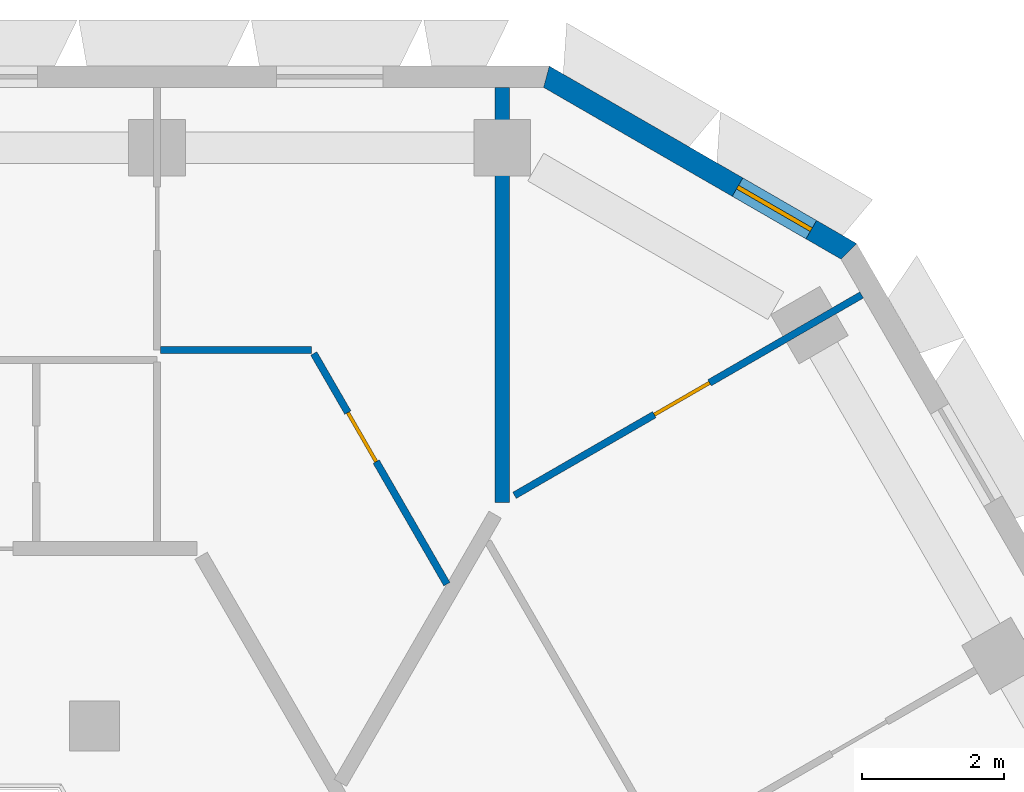
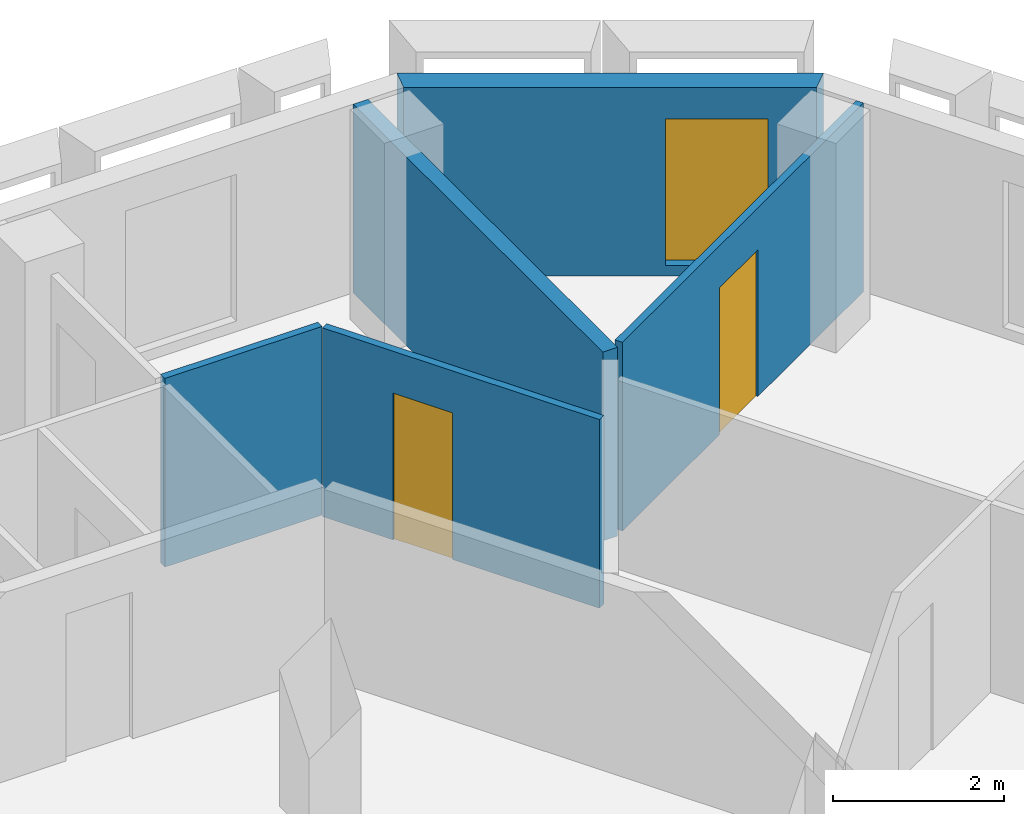
# One storey, part 8 of 15: 5 walls, 2 doors, 1 window, 3 openings.
"""IFC4 building model written with IfcOpenShell, lengths in metres."""

from ifc_helpers import new_model, si_unit, direction, frame, frame_2d, origin, place, context, subcontext, project, spatial, polyline, rectangle, outline, extrude, material, layer, layer_set, type_object, element, fill, save


model = new_model("IFC4")

# Units and contexts
model_context = context("Model", 3, precision=1e-05, world=origin(), true_north=direction((0.0, 1.0)))
body_context = subcontext(model_context, "Body", "Model", "MODEL_VIEW")
ifc_project = project(units=[si_unit("LENGTHUNIT", "METRE"), si_unit("AREAUNIT", "SQUARE_METRE"), si_unit("VOLUMEUNIT", "CUBIC_METRE"), si_unit("PLANEANGLEUNIT", "RADIAN"), si_unit("MASSUNIT", "GRAM", prefix="KILO")], contexts=[model_context])

# Site, building, storey
site_placement = place(None, origin())
site = spatial("IfcSite", under=ifc_project, at=site_placement, CompositionType="ELEMENT")
building_placement = place(site_placement, origin())
building = spatial("IfcBuilding", under=site, at=building_placement, Name="Beryl Residences", CompositionType="ELEMENT")
storey_placement = place(building_placement, frame((0.0, 0.0, 193.199951171875)))
storey = spatial("IfcBuildingStorey", under=building, at=storey_placement, Name="L59", CompositionType="ELEMENT", Elevation=193.199951171875)

# Wall, opening, window
ifc_material_1 = material(Name="Composite metal panel with mineral wool insulation")
ifc_layer_1 = layer(ifc_material_1, 0.300048828125)
ifc_layer_set_1 = layer_set([ifc_layer_1], Name="ES1 pale metal composite panel wall 300 mm")
wall_type_1 = type_object("IfcWallType", Name="ES1 pale metal composite panel wall 300 mm", PredefinedType="SOLIDWALL", material=ifc_layer_set_1)
wall_1_placement = place(storey_placement, frame((14.64697265625, 21.570068359375, 0.0), z_axis=(0.0, 0.0, 1.0), x_axis=(-0.866022959057, 0.500004234368, 0.0)))
wall_1 = element("IfcWall", 1, at=wall_1_placement, inside=storey, type_object=wall_type_1, Name="ES1 external wall L59 NE-N", PredefinedType="SOLIDWALL", context=body_context, shape_type="SweptSolid", body=[
    extrude(outline(polyline([(0.0, -0.14990234375), (5.0, -0.14990234375), (4.919677734375, 0.14990234375), (0.080322265625, 0.14990234375), (0.0, -0.14990234375)])), origin(), (0.0, 0.0, 1.0), 2.699951171875),
])
opening_1_placement = place(wall_1_placement, frame((0.64990234375, 0.0, 0.14990234375)))
opening_1 = element("IfcOpeningElement", 2, at=opening_1_placement, cuts=wall_1, Name="Opening W2", PredefinedType="OPENING", context=body_context, shape_type="SweptSolid", body=[
    extrude(rectangle(XDim=1.199951171875, YDim=2.10009765625, at=frame_2d((0.60009765625, 1.050048828125))), frame((0.0, 0.159912109375, 0.0), z_axis=(0.0, -1.0, 0.0), x_axis=(1.0, 0.0, 0.0)), (0.0, 0.0, 1.0), 0.320068359375),
])
ifc_material_2 = material(Name="Aluminium and clear glass", Category="aluminium")
window_type = type_object("IfcWindowType", Name="W2 chamfer window 1200 x 2100 mm", PartitioningType="SINGLE_PANEL", PredefinedType="WINDOW", material=ifc_material_2)
window_placement = place(opening_1_placement, origin())
window = element("IfcWindow", 3, at=window_placement, inside=storey, type_object=window_type, Name="W2 window L59 NE-N 1", OverallHeight=2.10009765625, OverallWidth=1.199951171875, PartitioningType="SINGLE_PANEL", PredefinedType="WINDOW", context=body_context, shape_type="SweptSolid", body=[
    extrude(rectangle(XDim=1.199951171875, YDim=2.10009765625, at=frame_2d((0.60009765625, 1.050048828125))), frame((0.0, 0.030029296875, 0.0), z_axis=(0.0, -1.0, 0.0), x_axis=(1.0, 0.0, 0.0)), (0.0, 0.0, 1.0), 0.06005859375),
])
fill(opening_1, window)

# Wall, opening, door
ifc_material_3 = material(Name="Gypsum board partition on steel studs", Category="steel")
ifc_layer_2 = layer(ifc_material_3, 0.10009765625)
ifc_layer_set_2 = layer_set([ifc_layer_2], Name="PT1 partition 100 mm gypsum board on steel studs")
wall_type_2 = type_object("IfcWallType", Name="PT1 partition 100 mm gypsum board on steel studs", PredefinedType="PARTITIONING", material=ifc_layer_set_2)
wall_2_placement = place(storey_placement, frame((7.072998046875, 20.14990234375, 0.0), z_axis=(0.0, 0.0, 1.0), x_axis=(0.499917691695, -0.866072919292, 0.0)))
wall_2 = element("IfcWall", 4, at=wall_2_placement, inside=storey, type_object=wall_type_2, Name="Wall PT1 L59 001", PredefinedType="PARTITIONING", context=body_context, shape_type="SweptSolid", body=[
    extrude(rectangle(XDim=3.752685546875, YDim=0.10009765625, at=frame_2d((1.87646484375, 0.0))), origin(), (0.0, 0.0, 1.0), 2.699951171875),
])
opening_2_placement = place(wall_2_placement, frame((0.9599609375, 0.0, 0.0)))
opening_2 = element("IfcOpeningElement", 5, at=opening_2_placement, cuts=wall_2, Name="Opening D1713", PredefinedType="OPENING", context=body_context, shape_type="SweptSolid", body=[
    extrude(rectangle(XDim=0.800048828125, YDim=2.10009765625, at=frame_2d((0.39990234375, 1.050048828125))), frame((0.0, 0.06005859375, 0.0), z_axis=(0.0, -1.0, 0.0), x_axis=(1.0, 0.0, 0.0)), (0.0, 0.0, 1.0), 0.1201171875),
])
ifc_material_4 = material(Name="Timber door leaf", Category="wood")
door_type_1 = type_object("IfcDoorType", Name="D3 bathroom door 800 x 2100 mm", OperationType="SINGLE_SWING_LEFT", PredefinedType="DOOR", material=ifc_material_4)
door_1_placement = place(opening_2_placement, origin())
door_1 = element("IfcDoor", 6, at=door_1_placement, inside=storey, type_object=door_type_1, Name="Door D1713 L59 001", OperationType="SINGLE_SWING_LEFT", OverallHeight=2.10009765625, OverallWidth=0.800048828125, PredefinedType="DOOR", context=body_context, shape_type="SweptSolid", body=[
    extrude(rectangle(XDim=0.800048828125, YDim=2.10009765625, at=frame_2d((0.39990234375, 1.050048828125))), frame((0.0, 0.02490234375, 0.0), z_axis=(0.0, -1.0, 0.0), x_axis=(1.0, 0.0, 0.0)), (0.0, 0.0, 1.0), 0.050048828125),
])
fill(opening_2, door_1)

# Wall
wall_3_placement = place(storey_placement, frame((4.9140625, 20.199951171875, 0.0), z_axis=(0.0, 0.0, 1.0), x_axis=(1.0, 0.0, 0.0)))
element("IfcWall", 7, at=wall_3_placement, inside=storey, type_object=wall_type_2, Name="Wall PT1 L59 023", PredefinedType="PARTITIONING", context=body_context, shape_type="SweptSolid", body=[
    extrude(rectangle(XDim=2.12890625, YDim=0.10009765625, at=frame_2d((1.064453125, 0.0))), origin(), (0.0, 0.0, 1.0), 2.699951171875),
])

# Wall, opening, door
wall_4_placement = place(storey_placement, frame((9.902099609375, 18.15087890625, 0.0), z_axis=(0.0, 0.0, 1.0), x_axis=(0.866032278734, 0.499988092049, 0.0)))
wall_4 = element("IfcWall", 8, at=wall_4_placement, inside=storey, type_object=wall_type_2, Name="Wall PT1 L59 039", PredefinedType="PARTITIONING", context=body_context, shape_type="SweptSolid", body=[
    extrude(rectangle(XDim=5.648681640625, YDim=0.10009765625, at=frame_2d((2.82421875, 0.0))), origin(), (0.0, 0.0, 1.0), 2.699951171875),
])
opening_3_placement = place(wall_4_placement, frame((2.27392578125, 0.0, 0.0)))
opening_3 = element("IfcOpeningElement", 9, at=opening_3_placement, cuts=wall_4, Name="Opening D1707", PredefinedType="OPENING", context=body_context, shape_type="SweptSolid", body=[
    extrude(rectangle(XDim=0.89990234375, YDim=2.10009765625, at=frame_2d((0.449951171875, 1.050048828125))), frame((0.0, 0.06005859375, 0.0), z_axis=(0.0, -1.0, 0.0), x_axis=(1.0, 0.0, 0.0)), (0.0, 0.0, 1.0), 0.1201171875),
])
ifc_material_5 = material(Name="Timber door leaf", Category="wood")
door_type_2 = type_object("IfcDoorType", Name="D2 room door 900 x 2100 mm", OperationType="SINGLE_SWING_LEFT", PredefinedType="DOOR", material=ifc_material_5)
door_2_placement = place(opening_3_placement, origin())
door_2 = element("IfcDoor", 10, at=door_2_placement, inside=storey, type_object=door_type_2, Name="Door D1707 L59 001", OperationType="SINGLE_SWING_LEFT", OverallHeight=2.10009765625, OverallWidth=0.89990234375, PredefinedType="DOOR", context=body_context, shape_type="SweptSolid", body=[
    extrude(rectangle(XDim=0.89990234375, YDim=2.10009765625, at=frame_2d((0.449951171875, 1.050048828125))), frame((0.0, 0.02490234375, 0.0), z_axis=(0.0, -1.0, 0.0), x_axis=(1.0, 0.0, 0.0)), (0.0, 0.0, 1.0), 0.050048828125),
])
fill(opening_3, door_2)

# Wall
ifc_material_6 = material(Name="Acoustic double stud gypsum board wall")
ifc_layer_3 = layer(ifc_material_6, 0.199951171875)
ifc_layer_set_3 = layer_set([ifc_layer_3], Name="PT3 party wall 200 mm acoustic double stud")
wall_type_3 = type_object("IfcWallType", Name="PT3 party wall 200 mm acoustic double stud", PredefinedType="PARTITIONING", material=ifc_layer_set_3)
wall_5_placement = place(storey_placement, frame((9.72802734375, 18.049072265625, 0.0), z_axis=(0.0, 0.0, 1.0), x_axis=(0.0, 1.0, 0.0)))
element("IfcWall", 11, at=wall_5_placement, inside=storey, type_object=wall_type_3, Name="Wall PT3 L59 008", PredefinedType="PARTITIONING", context=body_context, shape_type="SweptSolid", body=[
    extrude(rectangle(XDim=5.850830078125, YDim=0.199951171875, at=frame_2d((2.92529296875, 0.0))), origin(), (0.0, 0.0, 1.0), 2.699951171875),
])

save(model, "model.ifc")
